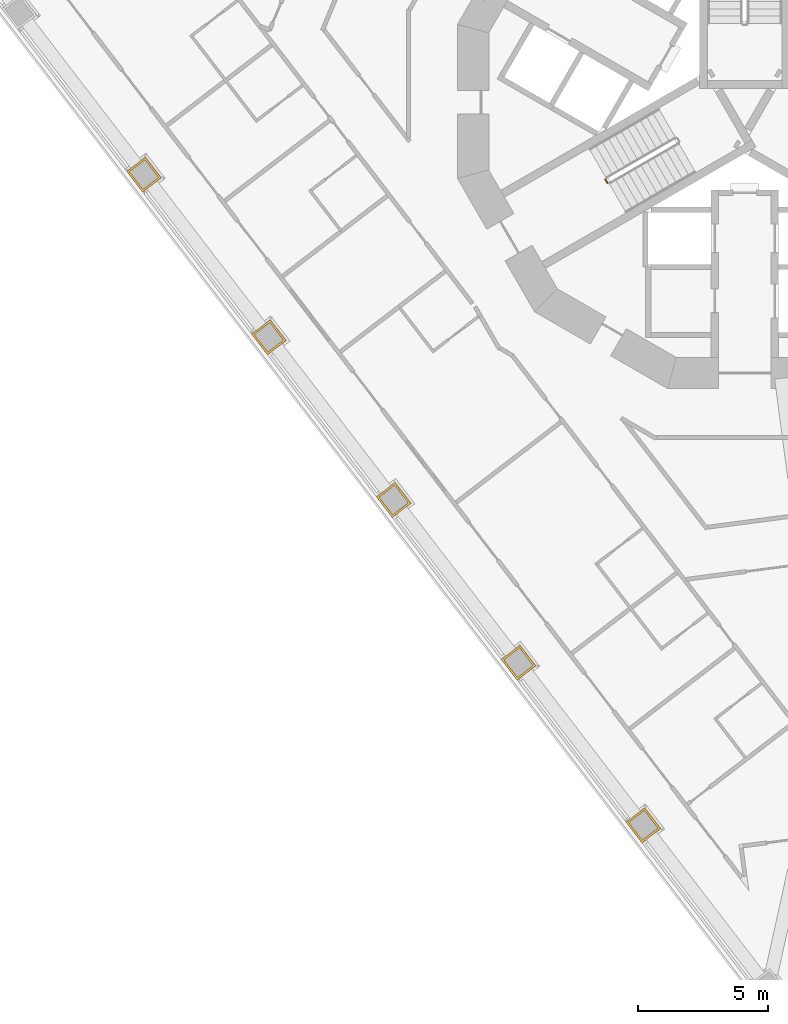
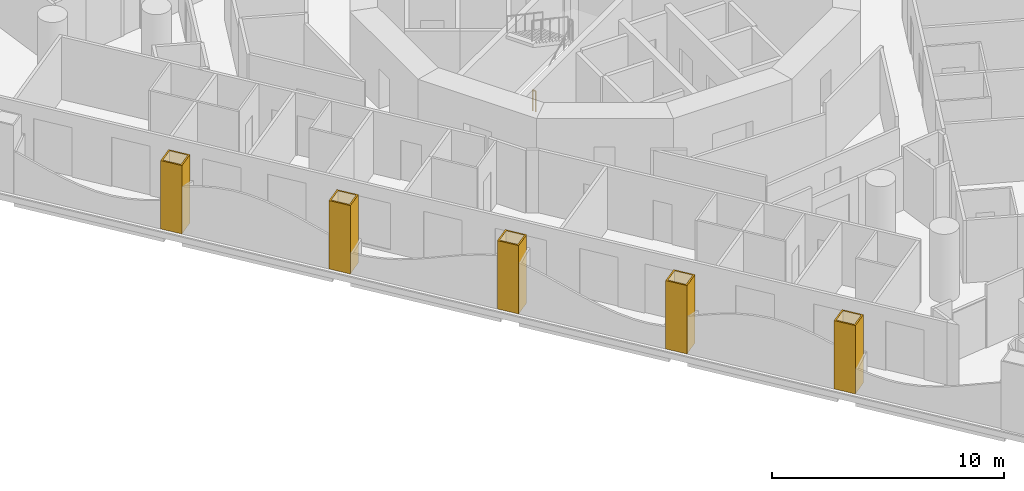
# One storey, part 12 of 19: 5 coverings, 1 railing.
"""IFC4 building model written with IfcOpenShell, lengths in metres."""

from ifc_helpers import new_model, si_unit, direction, frame, origin, origin_2d, place, context, subcontext, project, spatial, polyline, circle, outline, extrude, material, layer, layer_set, type_object, element, save


model = new_model("IFC4")

# Units and contexts
model_context = context("Model", 3, precision=1e-05, world=origin(), true_north=direction((0.0, 1.0)))
body_context = subcontext(model_context, "Body", "Model", "MODEL_VIEW")
ifc_project = project(units=[si_unit("LENGTHUNIT", "METRE"), si_unit("AREAUNIT", "SQUARE_METRE"), si_unit("VOLUMEUNIT", "CUBIC_METRE"), si_unit("PLANEANGLEUNIT", "RADIAN"), si_unit("MASSUNIT", "GRAM", prefix="KILO")], contexts=[model_context])

# Site, building, storey
site_placement = place(None, origin())
site = spatial("IfcSite", under=ifc_project, at=site_placement, CompositionType="ELEMENT")
building_placement = place(site_placement, origin())
building = spatial("IfcBuilding", under=site, at=building_placement, Name="Trine Commons Tower", CompositionType="ELEMENT")
storey_placement = place(building_placement, frame((0.0, 0.0, 61.199951171875)))
storey = spatial("IfcBuildingStorey", under=building, at=storey_placement, Name="L14", CompositionType="ELEMENT", Elevation=61.199951171875)

# Coverings
ifc_material_1 = material(Name="Limestone, honed", Category="masonry")
ifc_layer = layer(ifc_material_1, 0.074951171875)
ifc_layer_set = layer_set([ifc_layer], Name="Limestone, honed")
covering_type = type_object("IfcCoveringType", Name="Limestone column cladding 75", PredefinedType="CLADDING", material=ifc_layer_set)
covering_1_placement = place(storey_placement, origin())
element("IfcCovering", 1, at=covering_1_placement, inside=storey, type_object=covering_type, Name="Limestone pier cladding 2-02", PredefinedType="CLADDING", context=body_context, shape_type="SweptSolid", body=[
    extrude(outline(polyline([(76.1669921875, 35.419189453125), (75.452880859375, 34.87109375), (76.061767578125, 34.077880859375), (76.775634765625, 34.625732421875), (76.1669921875, 35.419189453125)]), holes=[polyline([(76.153076171875, 35.31396484375), (75.55810546875, 34.857421875), (76.075439453125, 34.18310546875), (76.67041015625, 34.6396484375), (76.153076171875, 35.31396484375)])]), origin(), (0.0, 0.0, 1.0), 3.60009765625),
])
covering_2_placement = place(storey_placement, origin())
element("IfcCovering", 2, at=covering_2_placement, inside=storey, type_object=covering_type, Name="Limestone pier cladding 2-03", PredefinedType="CLADDING", context=body_context, shape_type="SweptSolid", body=[
    extrude(outline(polyline([(71.381591796875, 41.6552734375), (70.667724609375, 41.107421875), (71.276611328125, 40.314208984375), (71.990478515625, 40.862060546875), (71.381591796875, 41.6552734375)]), holes=[polyline([(71.367919921875, 41.55029296875), (70.77294921875, 41.093505859375), (71.290283203125, 40.419189453125), (71.88525390625, 40.875732421875), (71.367919921875, 41.55029296875)])]), origin(), (0.0, 0.0, 1.0), 3.60009765625),
])
covering_3_placement = place(storey_placement, origin())
element("IfcCovering", 3, at=covering_3_placement, inside=storey, type_object=covering_type, Name="Limestone pier cladding 2-04", PredefinedType="CLADDING", context=body_context, shape_type="SweptSolid", body=[
    extrude(outline(polyline([(66.5966796875, 47.891357421875), (65.882568359375, 47.343505859375), (66.491455078125, 46.55029296875), (67.205322265625, 47.09814453125), (66.5966796875, 47.891357421875)]), holes=[polyline([(66.582763671875, 47.786376953125), (65.98779296875, 47.32958984375), (66.505126953125, 46.6552734375), (67.10009765625, 47.11181640625), (66.582763671875, 47.786376953125)])]), origin(), (0.0, 0.0, 1.0), 3.60009765625),
])
covering_4_placement = place(storey_placement, origin())
element("IfcCovering", 4, at=covering_4_placement, inside=storey, type_object=covering_type, Name="Limestone pier cladding 2-05", PredefinedType="CLADDING", context=body_context, shape_type="SweptSolid", body=[
    extrude(outline(polyline([(61.811279296875, 54.127685546875), (61.097412109375, 53.57958984375), (61.706298828125, 52.786376953125), (62.420166015625, 53.334228515625), (61.811279296875, 54.127685546875)]), holes=[polyline([(61.797607421875, 54.0224609375), (61.20263671875, 53.56591796875), (61.719970703125, 52.8916015625), (62.31494140625, 53.34814453125), (61.797607421875, 54.0224609375)])]), origin(), (0.0, 0.0, 1.0), 3.60009765625),
])
covering_5_placement = place(storey_placement, origin())
element("IfcCovering", 5, at=covering_5_placement, inside=storey, type_object=covering_type, Name="Limestone pier cladding 2-06", PredefinedType="CLADDING", context=body_context, shape_type="SweptSolid", body=[
    extrude(outline(polyline([(57.026123046875, 60.36376953125), (56.312255859375, 59.81591796875), (56.9208984375, 59.022705078125), (57.635009765625, 59.570556640625), (57.026123046875, 60.36376953125)]), holes=[polyline([(57.012451171875, 60.2587890625), (56.41748046875, 59.802001953125), (56.934814453125, 59.127685546875), (57.52978515625, 59.584228515625), (57.012451171875, 60.2587890625)])]), origin(), (0.0, 0.0, 1.0), 3.60009765625),
])

# Railing
ifc_material_2 = material(Name="Stainless steel balustrade", Category="steel")
railing_type = type_object("IfcRailingType", Name="Stair guard, steel balustrade 1100", PredefinedType="GUARDRAIL", material=ifc_material_2)
railing_placement = place(storey_placement, frame((74.73681640625, 59.374755859375, 0.0)))
element("IfcRailing", 6, at=railing_placement, inside=storey, type_object=railing_type, Name="L14 ST2A stair guard 4", PredefinedType="GUARDRAIL", context=body_context, shape_type="SweptSolid", body=[
    extrude(circle(Radius=0.02392578125, at=origin_2d()), frame((0.0, 0.0, 1.076171875), z_axis=(-0.499816412211, 0.866131372301, 0.0), x_axis=(-0.866131372301, -0.499816412211, 0.0)), (0.0, 0.0, 1.0), 0.14990234375),
    extrude(circle(Radius=0.02099609375, at=origin_2d()), origin(), (0.0, 0.0, 1.0), 1.052001953125),
    extrude(circle(Radius=0.02099609375, at=origin_2d()), frame((-0.074951171875, 0.1298828125, 0.0)), (0.0, 0.0, 1.0), 1.052001953125),
])

save(model, "model.ifc")
